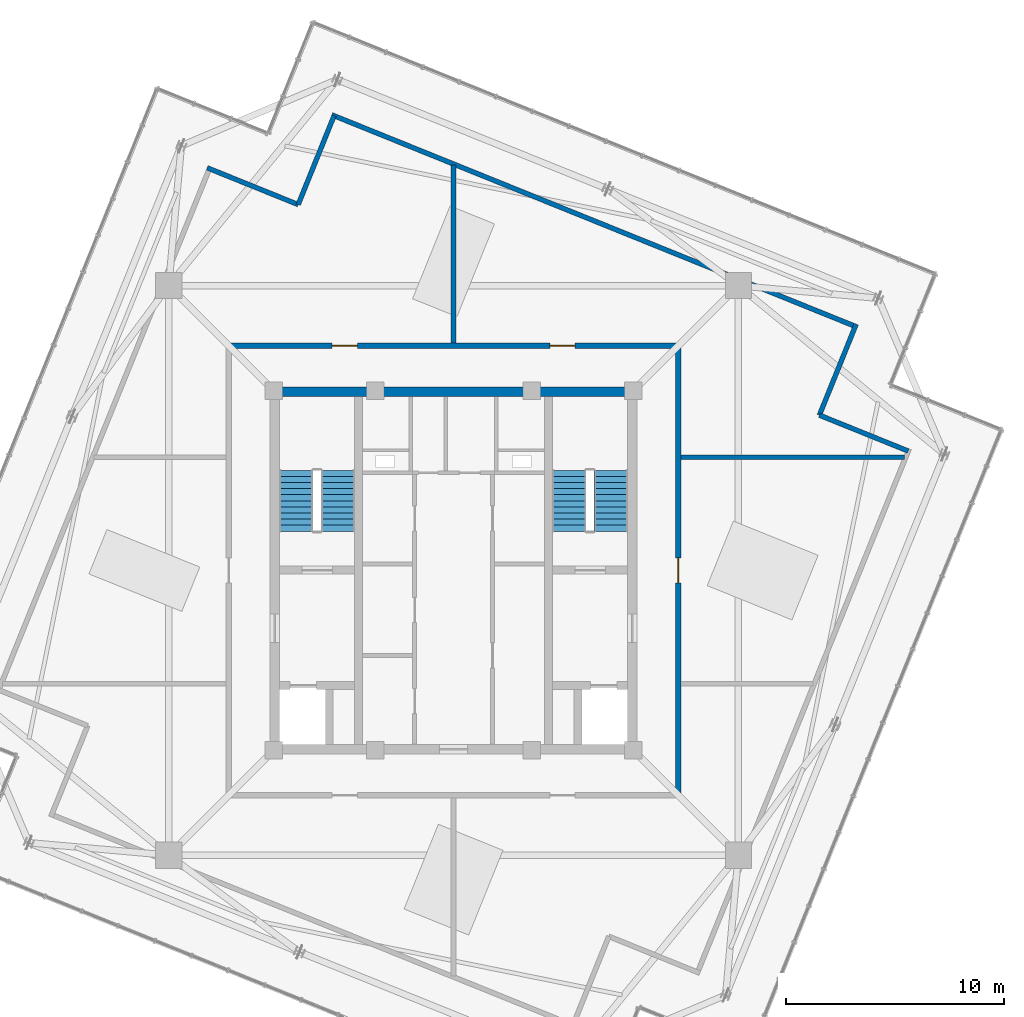
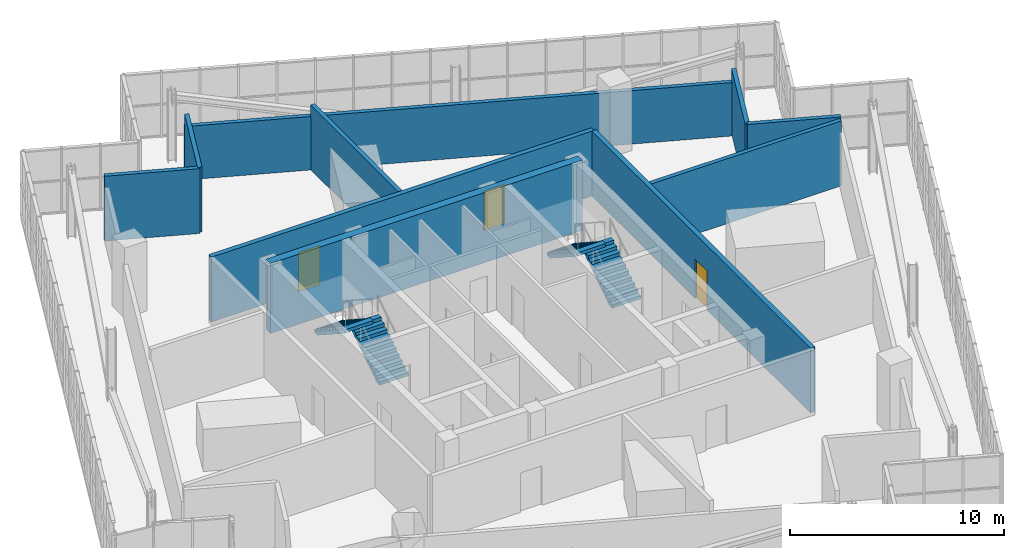
# One storey, part 24 of 26: 10 walls, 4 stair flights, 3 doors, 3 openings, 2 elements without a shape of their own.
"""IFC4 building model written with IfcOpenShell, lengths in metres."""

from ifc_helpers import new_model, si_unit, direction, frame, frame_2d, origin, place, context, subcontext, project, spatial, polyline, rectangle, outline, extrude, source, transform, mapped, material, layer, layer_set, type_object, element, fill, aggregate, save


model = new_model("IFC4")

# Units and contexts
model_context = context("Model", 3, precision=1e-05, world=origin(), true_north=direction((0.0, 1.0)))
body_context = subcontext(model_context, "Body", "Model", "MODEL_VIEW")
ifc_project = project(units=[si_unit("LENGTHUNIT", "METRE"), si_unit("AREAUNIT", "SQUARE_METRE"), si_unit("VOLUMEUNIT", "CUBIC_METRE"), si_unit("PLANEANGLEUNIT", "RADIAN"), si_unit("MASSUNIT", "GRAM", prefix="KILO"), si_unit("THERMODYNAMICTEMPERATUREUNIT", "KELVIN")], contexts=[model_context])

# Site, building, storey
site_placement = place(None, origin())
site = spatial("IfcSite", under=ifc_project, at=site_placement, CompositionType="ELEMENT")
building_placement = place(site_placement, origin())
building = spatial("IfcBuilding", under=site, at=building_placement, Name="Kosmvard Interchange Tower", CompositionType="ELEMENT")
storey_placement = place(building_placement, frame((0.0, 0.0, 325.60009765625)))
storey = spatial("IfcBuildingStorey", under=building, at=storey_placement, Name="L80", CompositionType="ELEMENT", Elevation=325.60009765625)

# Wall
ifc_material_1 = material(Name="Concrete C50/60", Category="concrete")
ifc_layer_1 = layer(ifc_material_1, 0.419921875, Name="Concrete C50/60")
ifc_layer_set_1 = layer_set([ifc_layer_1], Name="Concrete C50/60")
wall_type_1 = type_object("IfcWallType", Name="Crown Core Shear Wall 420 C50/60", PredefinedType="SHEAR", material=ifc_layer_set_1)
wall_1_placement = place(storey_placement, frame((-8.419921875, 8.2099609375, 0.0), z_axis=(0.0, 0.0, 1.0), x_axis=(1.0, 0.0, 0.0)))
element("IfcWall", 1, at=wall_1_placement, inside=storey, type_object=wall_type_1, Name="L80 Core Shear Wall CW-N", PredefinedType="SHEAR", context=body_context, shape_type="SweptSolid", body=[
    extrude(rectangle(XDim=16.83984375, YDim=0.419921875, at=frame_2d((8.419921875, 0.0))), origin(), (0.0, 0.0, 1.0), 4.0),
])

# Wall, openings, doors
ifc_material_2 = material(Name="Concrete blockwork masonry", Category="masonry")
ifc_layer_2 = layer(ifc_material_2, 0.25, Name="Concrete blockwork masonry")
ifc_layer_set_2 = layer_set([ifc_layer_2], Name="Concrete blockwork masonry")
wall_type_2 = type_object("IfcWallType", Name="Exit Passage & Firefighting Lobby Wall 250", PredefinedType="PARTITIONING", material=ifc_layer_set_2)
wall_2_placement = place(storey_placement, frame((-10.320068359375, 10.320068359375, 0.0), z_axis=(0.0, 0.0, 1.0), x_axis=(1.0, 0.0, 0.0)))
wall_2 = element("IfcWall", 2, at=wall_2_placement, inside=storey, type_object=wall_type_2, Name="L80 Corridor Wall CN", PredefinedType="PARTITIONING", context=body_context, shape_type="SweptSolid", body=[
    extrude(rectangle(XDim=20.64013671875, YDim=0.25, at=frame_2d((10.320068359375, 0.0))), origin(), (0.0, 0.0, 1.0), 3.699951171875),
])
opening_1_placement = place(wall_2_placement, frame((4.74951171875, 0.0, 0.0)))
opening_1 = element("IfcOpeningElement", 3, at=opening_1_placement, cuts=wall_2, Name="Opening L80-D01", PredefinedType="OPENING", context=body_context, shape_type="SweptSolid", body=[
    extrude(rectangle(XDim=1.14990234375, YDim=2.25, at=frame_2d((0.574951171875, 1.125))), frame((0.0, 0.135009765625, 0.0), z_axis=(0.0, -1.0, 0.0), x_axis=(1.0, 0.0, 0.0)), (0.0, 0.0, 1.0), 0.27001953125),
])
opening_2_placement = place(wall_2_placement, frame((14.740478515625, 0.0, 0.0)))
opening_2 = element("IfcOpeningElement", 4, at=opening_2_placement, cuts=wall_2, Name="Opening L80-D02", PredefinedType="OPENING", context=body_context, shape_type="SweptSolid", body=[
    extrude(rectangle(XDim=1.14990234375, YDim=2.25, at=frame_2d((0.574951171875, 1.125))), frame((0.0, 0.135009765625, 0.0), z_axis=(0.0, -1.0, 0.0), x_axis=(1.0, 0.0, 0.0)), (0.0, 0.0, 1.0), 0.27001953125),
])
ifc_material_3 = material(Name="Painted fire-rated steel leaf", Category="steel")
door_type = type_object("IfcDoorType", Name="Plant & Riser Fire Door 1150x2250 EI60", OperationType="NOTDEFINED", PredefinedType="DOOR", material=ifc_material_3)
shared_shape_1 = source(origin(), body_context, "Body", "SweptSolid", [
    extrude(rectangle(XDim=1.14990234375, YDim=2.25, at=frame_2d((0.574951171875, 1.125))), frame((0.0, 0.02490234375, 0.0), z_axis=(0.0, -1.0, 0.0), x_axis=(1.0, 0.0, 0.0)), (0.0, 0.0, 1.0), 0.050048828125),
])
door_1_placement = place(opening_1_placement, origin())
door_1 = element("IfcDoor", 5, at=door_1_placement, inside=storey, type_object=door_type, Name="L80 Crown Centrifugal Chiller Plant Room Door", OperationType="SINGLE_SWING_LEFT", OverallHeight=2.25, OverallWidth=1.14990234375, PredefinedType="DOOR", context=body_context, shape_type="MappedRepresentation", body=[
    mapped(shared_shape_1, transform((0.0, 0.0, 0.0), scale=1.0)),
])
fill(opening_1, door_1)
door_2_placement = place(opening_2_placement, origin())
door_2 = element("IfcDoor", 6, at=door_2_placement, inside=storey, type_object=door_type, Name="L80 Cooling Tower Plant Room Door", OperationType="SINGLE_SWING_RIGHT", OverallHeight=2.25, OverallWidth=1.14990234375, PredefinedType="DOOR", context=body_context, shape_type="MappedRepresentation", body=[
    mapped(shared_shape_1, transform((0.0, 0.0, 0.0), scale=1.0)),
])
fill(opening_2, door_2)

# Wall, opening, door
wall_3_placement = place(storey_placement, frame((10.320068359375, -10.219970703125, 0.0), z_axis=(0.0, 0.0, 1.0), x_axis=(0.0, 1.0, 0.0)))
wall_3 = element("IfcWall", 7, at=wall_3_placement, inside=storey, type_object=wall_type_2, Name="L80 Corridor Wall CE", PredefinedType="PARTITIONING", context=body_context, shape_type="SweptSolid", body=[
    extrude(rectangle(XDim=20.43994140625, YDim=0.25, at=frame_2d((10.219970703125, 0.0))), origin(), (0.0, 0.0, 1.0), 3.699951171875),
])
opening_3_placement = place(wall_3_placement, frame((9.64501953125, 0.0, 0.0)))
opening_3 = element("IfcOpeningElement", 8, at=opening_3_placement, cuts=wall_3, Name="Opening L80-D03", PredefinedType="OPENING", context=body_context, shape_type="SweptSolid", body=[
    extrude(rectangle(XDim=1.14990234375, YDim=2.25, at=frame_2d((0.574951171875, 1.125))), frame((0.0, 0.135009765625, 0.0), z_axis=(0.0, -1.0, 0.0), x_axis=(1.0, 0.0, 0.0)), (0.0, 0.0, 1.0), 0.27001953125),
])
door_3_placement = place(opening_3_placement, frame((1.14990234375, 0.0, 0.0), z_axis=(0.0, 0.0, 1.0), x_axis=(-1.0, 0.0, 0.0)))
door_3 = element("IfcDoor", 9, at=door_3_placement, inside=storey, type_object=door_type, Name="L80 High-Zone Air Handling Plant Room Door", OperationType="SINGLE_SWING_LEFT", OverallHeight=2.25, OverallWidth=1.14990234375, PredefinedType="DOOR", context=body_context, shape_type="MappedRepresentation", body=[
    mapped(shared_shape_1, transform((0.0, 0.0, 0.0), scale=1.0)),
])
fill(opening_3, door_3)

# Walls
ifc_layer_3 = layer(ifc_material_2, 0.219970703125, Name="Concrete blockwork masonry")
ifc_layer_set_3 = layer_set([ifc_layer_3], Name="Concrete blockwork masonry")
wall_type_3 = type_object("IfcWallType", Name="Riser & Plant Enclosure Wall 220", PredefinedType="PARTITIONING", material=ifc_layer_set_3)
wall_4_placement = place(storey_placement, frame((20.8857421875, 5.485595703125, 0.0), z_axis=(0.0, 0.0, 1.0), x_axis=(-0.927189216671, 0.374593321469, 0.0)))
element("IfcWall", 10, at=wall_4_placement, inside=storey, type_object=wall_type_3, Name="L80 Crown Plant Enclosure Wall SE1", PredefinedType="PARTITIONING", context=body_context, shape_type="SweptSolid", body=[
    extrude(rectangle(XDim=4.39990234375, YDim=0.219970703125, at=frame_2d((2.199951171875, 0.0))), origin(), (0.0, 0.0, 1.0), 3.699951171875),
])
wall_5_placement = place(storey_placement, frame((16.80615234375, 7.1337890625, 0.0), z_axis=(0.0, 0.0, 1.0), x_axis=(0.374599091925, 0.927186885331, 0.0)))
element("IfcWall", 11, at=wall_5_placement, inside=storey, type_object=wall_type_3, Name="L80 Crown Plant Enclosure Wall SE2", PredefinedType="PARTITIONING", context=body_context, shape_type="SweptSolid", body=[
    extrude(rectangle(XDim=4.510009765625, YDim=0.219970703125, at=frame_2d((2.2548828125, 0.0))), origin(), (0.0, 0.0, 1.0), 3.699951171875),
])
wall_6_placement = place(storey_placement, frame((18.556396484375, 11.172119140625, 0.0), z_axis=(0.0, 0.0, 1.0), x_axis=(-0.927181788521, 0.374611707018, 0.0)))
element("IfcWall", 12, at=wall_6_placement, inside=storey, type_object=wall_type_3, Name="L80 Crown Plant Enclosure Wall E", PredefinedType="PARTITIONING", context=body_context, shape_type="SweptSolid", body=[
    extrude(rectangle(XDim=26.0400390625, YDim=0.219970703125, at=frame_2d((13.02001953125, 0.0))), origin(), (0.0, 0.0, 1.0), 3.0498046875),
])
wall_7_placement = place(storey_placement, frame((-5.485595703125, 20.8857421875, 0.0), z_axis=(0.0, 0.0, 1.0), x_axis=(-0.374593321469, -0.927189216671, 0.0)))
element("IfcWall", 13, at=wall_7_placement, inside=storey, type_object=wall_type_3, Name="L80 Crown Plant Enclosure Wall NE1", PredefinedType="PARTITIONING", context=body_context, shape_type="SweptSolid", body=[
    extrude(rectangle(XDim=4.39990234375, YDim=0.219970703125, at=frame_2d((2.199951171875, 0.0))), origin(), (0.0, 0.0, 1.0), 3.699951171875),
])
wall_8_placement = place(storey_placement, frame((-7.1337890625, 16.80615234375, 0.0), z_axis=(0.0, 0.0, 1.0), x_axis=(-0.927186885331, 0.374599091925, 0.0)))
element("IfcWall", 14, at=wall_8_placement, inside=storey, type_object=wall_type_3, Name="L80 Crown Plant Enclosure Wall NE2", PredefinedType="PARTITIONING", context=body_context, shape_type="SweptSolid", body=[
    extrude(rectangle(XDim=4.510009765625, YDim=0.219970703125, at=frame_2d((2.2548828125, 0.0))), origin(), (0.0, 0.0, 1.0), 3.699951171875),
])
wall_9_placement = place(storey_placement, frame((0.0, 10.449951171875, 0.0), z_axis=(0.0, 0.0, 1.0), x_axis=(0.0, 1.0, 0.0)))
element("IfcWall", 15, at=wall_9_placement, inside=storey, type_object=wall_type_3, Name="L80 Room Partition 01.1", PredefinedType="PARTITIONING", context=body_context, shape_type="SweptSolid", body=[
    extrude(rectangle(XDim=8.1708984375, YDim=0.219970703125, at=frame_2d((4.08544921875, 0.0))), origin(), (0.0, 0.0, 1.0), 3.699951171875),
])
wall_10_placement = place(storey_placement, frame((10.449951171875, 5.199951171875, 0.0), z_axis=(0.0, 0.0, 1.0), x_axis=(1.0, 0.0, 0.0)))
element("IfcWall", 16, at=wall_10_placement, inside=storey, type_object=wall_type_3, Name="L80 Room Partition 02.1", PredefinedType="PARTITIONING", context=body_context, shape_type="SweptSolid", body=[
    extrude(rectangle(XDim=10.27197265625, YDim=0.219970703125, at=frame_2d((5.135986328125, 0.0))), origin(), (0.0, 0.0, 1.0), 3.699951171875),
])

# Stair, stair flights
stair_type = type_object("IfcStairType", Name="Dog-Leg Core Exit Stair H4000 C50/60", PredefinedType="HALF_TURN_STAIR", material=ifc_material_1)
stair_1_placement = place(storey_placement, origin())
stair_1 = element("IfcStair", 17, at=stair_1_placement, inside=storey, type_object=stair_type, Name="L80 Protected Exit Stair ST-1", PredefinedType="HALF_TURN_STAIR")
stair_flight_type = type_object("IfcStairFlightType", Name="Core Stair Flight W1550 H4000 C50/60", PredefinedType="STRAIGHT", material=ifc_material_1)
shared_shape_2 = source(origin(), body_context, "Body", "SweptSolid", [
    extrude(outline(polyline([(0.0, 0.0), (0.0, 0.181884765625), (0.280029296875, 0.181884765625), (0.280029296875, 0.363525390625), (0.56005859375, 0.363525390625), (0.56005859375, 0.54541015625), (0.840087890625, 0.54541015625), (0.840087890625, 0.727294921875), (1.1201171875, 0.727294921875), (1.1201171875, 0.9091796875), (1.39990234375, 0.9091796875), (1.39990234375, 1.0908203125), (1.679931640625, 1.0908203125), (1.679931640625, 1.272705078125), (1.9599609375, 1.272705078125), (1.9599609375, 1.45458984375), (2.239990234375, 1.45458984375), (2.239990234375, 1.636474609375), (2.52001953125, 1.636474609375), (2.52001953125, 1.818115234375), (2.800048828125, 1.818115234375), (2.800048828125, 2.0), (2.800048828125, 1.62744140625), (0.293701171875, 0.0), (0.0, 0.0)])), frame((0.0, 0.77490234375, 0.0), z_axis=(0.0, -1.0, 0.0), x_axis=(1.0, 0.0, 0.0)), (0.0, 0.0, 1.0), 1.550048828125),
])
stair_flight_1_placement = place(storey_placement, frame((-5.31494140625, 1.800048828125, 0.0), z_axis=(0.0, 0.0, 1.0), x_axis=(0.0, 1.0, 0.0)))
stair_flight_1 = element("IfcStairFlight", 18, at=stair_flight_1_placement, type_object=stair_flight_type, Name="ST-1 flight 1", NumberOfRisers=11, NumberOfTreads=10, PredefinedType="STRAIGHT", RiserHeight=0.181818182, TreadLength=0.28, context=body_context, shape_type="MappedRepresentation", body=[
    mapped(shared_shape_2, transform((0.0, 0.0, 0.0), scale=1.0)),
])
stair_flight_2_placement = place(storey_placement, frame((-7.22509765625, 4.60009765625, 2.0), z_axis=(0.0, 0.0, 1.0), x_axis=(0.0, -1.0, 0.0)))
stair_flight_2 = element("IfcStairFlight", 19, at=stair_flight_2_placement, type_object=stair_flight_type, Name="ST-1 flight 2", NumberOfRisers=11, NumberOfTreads=10, PredefinedType="STRAIGHT", RiserHeight=0.181818182, TreadLength=0.28, context=body_context, shape_type="MappedRepresentation", body=[
    mapped(shared_shape_2, transform((0.0, 0.0, 0.0), scale=1.0)),
])
aggregate(stair_1, [stair_flight_1, stair_flight_2])

stair_2_placement = place(storey_placement, origin())
stair_2 = element("IfcStair", 20, at=stair_2_placement, inside=storey, type_object=stair_type, Name="L80 Protected Exit Stair ST-2", PredefinedType="HALF_TURN_STAIR")
stair_flight_3_placement = place(storey_placement, frame((7.22509765625, 1.800048828125, 0.0), z_axis=(0.0, 0.0, 1.0), x_axis=(0.0, 1.0, 0.0)))
stair_flight_3 = element("IfcStairFlight", 21, at=stair_flight_3_placement, type_object=stair_flight_type, Name="ST-2 flight 1", NumberOfRisers=11, NumberOfTreads=10, PredefinedType="STRAIGHT", RiserHeight=0.181818182, TreadLength=0.28, context=body_context, shape_type="MappedRepresentation", body=[
    mapped(shared_shape_2, transform((0.0, 0.0, 0.0), scale=1.0)),
])
stair_flight_4_placement = place(storey_placement, frame((5.31494140625, 4.60009765625, 2.0), z_axis=(0.0, 0.0, 1.0), x_axis=(0.0, -1.0, 0.0)))
stair_flight_4 = element("IfcStairFlight", 22, at=stair_flight_4_placement, type_object=stair_flight_type, Name="ST-2 flight 2", NumberOfRisers=11, NumberOfTreads=10, PredefinedType="STRAIGHT", RiserHeight=0.181818182, TreadLength=0.28, context=body_context, shape_type="MappedRepresentation", body=[
    mapped(shared_shape_2, transform((0.0, 0.0, 0.0), scale=1.0)),
])
aggregate(stair_2, [stair_flight_3, stair_flight_4])

save(model, "model.ifc")
